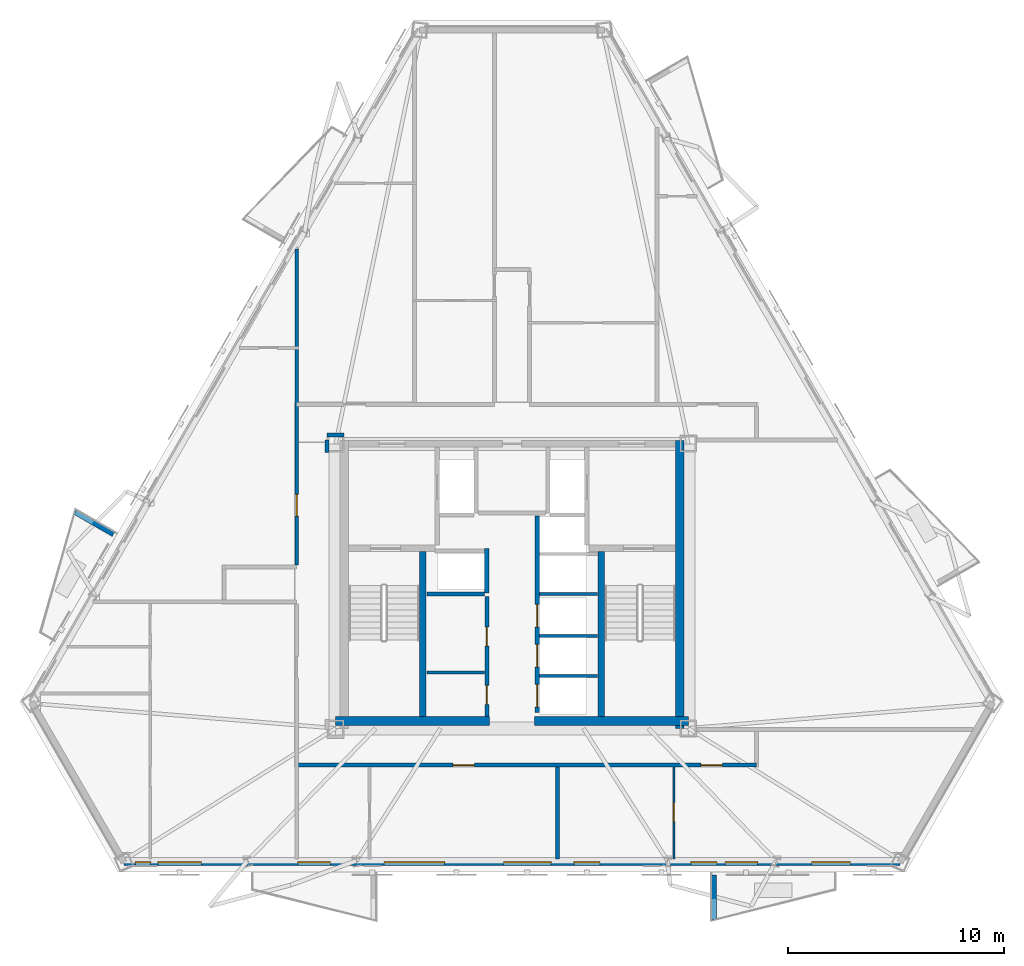
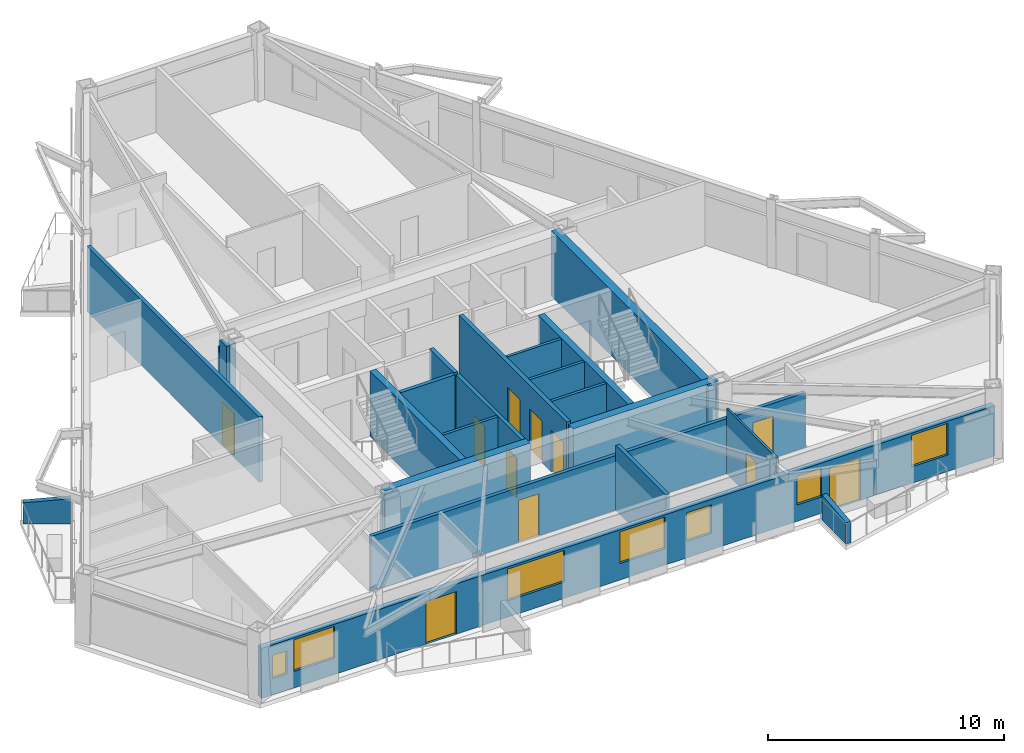
# One storey, part 3 of 8: 22 walls, 11 doors, 7 windows, 18 openings.
"""IFC4 building model written with IfcOpenShell, lengths in metres."""

import ifcopenshell
import ifcopenshell.guid

model = None  # the IFC model being written
_history = None  # IfcOwnerHistory: only IFC2X3 demands one
_inside = {}  # id of a spatial element -> (the spatial element, [elements in it])
_under = {}  # id of a project, library or spatial element -> (it, [spatial elements below it])
_declared = {}  # id of a project -> (the project, [libraries it declares])
_typed = {}  # id of a type object -> (the type object, [elements of that type])
_made_of = {}  # id of a material, layer set ... -> (it, [elements and type objects made of it])


def new_model(schema):
    """Start an empty IFC model of exactly this schema.

    Asked for "IFC4X3", IfcOpenShell would pick the latest addendum, in which some entities
    have other attributes; the version numbers below select the first issue.
    IFC2X3 requires an IfcOwnerHistory on every rooted entity: one is made here for all.
    """
    global model, _history
    if schema == "IFC4X3":
        model = ifcopenshell.file(schema_version=(4, 3, 0, 0))
    else:
        model = ifcopenshell.file(schema=schema)
    _inside.clear()
    _under.clear()
    _declared.clear()
    _typed.clear()
    _made_of.clear()
    _history = None
    if model.schema == "IFC2X3":
        org = make("IfcOrganization", Name="unknown")
        user = make(
            "IfcPersonAndOrganization",
            ThePerson=make("IfcPerson", FamilyName="unknown"),
            TheOrganization=org,
        )
        app = make(
            "IfcApplication",
            ApplicationDeveloper=org,
            Version="unknown",
            ApplicationFullName="unknown",
            ApplicationIdentifier="unknown",
        )
        _history = make(
            "IfcOwnerHistory",
            OwningUser=user,
            OwningApplication=app,
            ChangeAction="ADDED",
            CreationDate=0,
        )
    return model


def make(cls, **values):
    """One entity of the class cls with the attributes given. An attribute that is None is left unset."""
    return model.create_entity(
        cls, **{name: value for name, value in values.items() if value is not None}
    )


def rooted(cls, **values):
    """An entity with a GlobalId (a new one), such as an element, a storey or a relation."""
    return make(cls, GlobalId=ifcopenshell.guid.new(), OwnerHistory=_history, **values)


def si_unit(unit_type, name, prefix=None):
    """IfcSIUnit, for example si_unit("LENGTHUNIT", "METRE", prefix="MILLI")."""
    return make("IfcSIUnit", UnitType=unit_type, Prefix=prefix, Name=name)


def assignment(units):
    """IfcUnitAssignment: the units of a project."""
    return None if units is None else make("IfcUnitAssignment", Units=units)


def point(xyz):
    """IfcCartesianPoint."""
    return None if xyz is None else make("IfcCartesianPoint", Coordinates=xyz)


def direction(xyz):
    """IfcDirection."""
    return None if xyz is None else make("IfcDirection", DirectionRatios=xyz)


def frame(location, z_axis=None, x_axis=None):
    """IfcAxis2Placement3D, a coordinate frame: its origin and axes. An axis left out is left unset."""
    return make(
        "IfcAxis2Placement3D",
        Location=point(location),
        Axis=direction(z_axis),
        RefDirection=direction(x_axis),
    )


def frame_2d(location, x_axis=None):
    """IfcAxis2Placement2D, a coordinate frame in the plane: its origin and x axis."""
    return make(
        "IfcAxis2Placement2D", Location=point(location), RefDirection=direction(x_axis)
    )


def origin():
    """The frame at (0, 0, 0) with its axes left unset."""
    return frame((0.0, 0.0, 0.0))


def place(relative_to, where):
    """IfcLocalPlacement: puts the frame where relative to a parent placement (None: the world)."""
    return make(
        "IfcLocalPlacement", PlacementRelTo=relative_to, RelativePlacement=where
    )


def context(
    kind, dimensions, precision=None, world=None, true_north=None, identifier=None
):
    """IfcGeometricRepresentationContext, for example the 3D "Model" context."""
    return make(
        "IfcGeometricRepresentationContext",
        ContextIdentifier=identifier,
        ContextType=kind,
        CoordinateSpaceDimension=dimensions,
        Precision=precision,
        WorldCoordinateSystem=world,
        TrueNorth=true_north,
    )


def subcontext(parent, identifier, kind, view, scale=None):
    """IfcGeometricRepresentationSubContext, for example "Body" below "Model"."""
    return make(
        "IfcGeometricRepresentationSubContext",
        ContextIdentifier=identifier,
        ContextType=kind,
        ParentContext=parent,
        TargetScale=scale,
        TargetView=view,
    )


def project(units=None, contexts=None):
    """IfcProject with its units and contexts."""
    return rooted(
        "IfcProject",
        Name="project",
        RepresentationContexts=contexts,
        UnitsInContext=assignment(units),
    )


def spatial(cls, under=None, at=None, **own):
    """A site, building, storey or space (cls), placed at a placement, below another one or the project."""
    s = rooted(cls, ObjectPlacement=at, **own)
    if under is not None:
        _under.setdefault(under.id(), (under, []))[1].append(s)
    return s


def polyline(points):
    """IfcPolyline through the points."""
    return make("IfcPolyline", Points=[point(p) for p in points])


def profile(cls, at=None, kind="AREA", **sizes):
    """A parametric profile (cls). Its sizes go by their IFC names, for example OverallWidth=200.0."""
    return make(cls, ProfileType=kind, Position=at, **sizes)


def rectangle(**sizes):
    """IfcRectangleProfileDef."""
    return profile("IfcRectangleProfileDef", **sizes)


def outline(outer, holes=None, kind="AREA"):
    """IfcArbitraryClosedProfileDef: a profile drawn as a closed curve; with holes, ...WithVoids."""
    if holes is None:
        return make("IfcArbitraryClosedProfileDef", ProfileType=kind, OuterCurve=outer)
    return make(
        "IfcArbitraryProfileDefWithVoids",
        ProfileType=kind,
        OuterCurve=outer,
        InnerCurves=holes,
    )


def extrude(swept, where, along, depth):
    """IfcExtrudedAreaSolid: the profile swept, set in the frame where, extruded along a direction by depth."""
    return make(
        "IfcExtrudedAreaSolid",
        SweptArea=swept,
        Position=where,
        ExtrudedDirection=direction(along),
        Depth=depth,
    )


def shape(context_of_items, identifier, shape_type, items):
    """IfcShapeRepresentation: the items that make up one representation, for example the "Body"."""
    return make(
        "IfcShapeRepresentation",
        ContextOfItems=context_of_items,
        RepresentationIdentifier=identifier,
        RepresentationType=shape_type,
        Items=items,
    )


def material(Name=None, Category=None):
    """IfcMaterial."""
    return make("IfcMaterial", Name=Name, Category=Category)


def layer(
    of_material, thickness, ventilated=None, Name=None, Category=None, Priority=None
):
    """IfcMaterialLayer: one layer of a wall or slab, of a material (None: an air gap)."""
    return make(
        "IfcMaterialLayer",
        Material=of_material,
        LayerThickness=thickness,
        IsVentilated=ventilated,
        Name=Name,
        Category=Category,
        Priority=Priority,
    )


def layer_set(layers, Name=None):
    """IfcMaterialLayerSet."""
    return make("IfcMaterialLayerSet", MaterialLayers=layers, LayerSetName=Name)


def made_of(thing, what):
    """Note that an element or type object is made of a material, layer set ...; save() writes the relation."""
    if what is not None:
        _made_of.setdefault(what.id(), (what, []))[1].append(thing)
    return thing


def type_object(cls, material=None, **own):
    """A type object (cls), such as IfcWallType, which elements share."""
    return made_of(rooted(cls, **own), material)


def element(
    cls,
    number,
    at=None,
    inside=None,
    cuts=None,
    type_object=None,
    material=None,
    context=None,
    identifier="Body",
    shape_type=None,
    held_by="IfcProductDefinitionShape",
    body=None,
    shapes=None,
    **own,
):
    """One element of the class cls, such as IfcWall. Its Tag is "e" and its number.

    at: its placement. inside: the storey or other place that contains it. cuts: it is an
    opening in that element (IfcRelVoidsElement). A single representation is given by context,
    identifier, shape_type and body (its items); several are given by shapes. held_by: the class
    of the entity that holds the representations. save() writes the other relations.
    """
    e = rooted(cls, Tag="e%d" % number, ObjectPlacement=at, **own)
    if body is not None:
        shapes = [shape(context, identifier, shape_type, body)]
    if shapes is not None:
        e.Representation = make(held_by, Representations=shapes)
    if inside is not None:
        _inside.setdefault(inside.id(), (inside, []))[1].append(e)
    if cuts is not None:
        rooted(
            "IfcRelVoidsElement", RelatingBuildingElement=cuts, RelatedOpeningElement=e
        )
    if type_object is not None:
        _typed.setdefault(type_object.id(), (type_object, []))[1].append(e)
    return made_of(e, material)


def fill(opening, filler):
    """IfcRelFillsElement: the door or window that sits in an opening."""
    return rooted(
        "IfcRelFillsElement",
        RelatingOpeningElement=opening,
        RelatedBuildingElement=filler,
    )


def aggregate(whole, parts):
    """IfcRelAggregates: a whole, such as a stair, and the parts it consists of."""
    return rooted("IfcRelAggregates", RelatingObject=whole, RelatedObjects=parts)


def save(model, path):
    """Write the relations noted so far, then the file.

    IfcRelAggregates (storeys below a building ...), IfcRelContainedInSpatialStructure (elements
    in a storey), IfcRelDefinesByType, IfcRelAssociatesMaterial and IfcRelDeclares: one each for
    every whole, place, type object, material and project.
    """
    for whole, parts in _under.values():
        aggregate(whole, parts)
    for where, things in _inside.values():
        rooted(
            "IfcRelContainedInSpatialStructure",
            RelatedElements=things,
            RelatingStructure=where,
        )
    for kind, things in _typed.values():
        rooted("IfcRelDefinesByType", RelatedObjects=things, RelatingType=kind)
    for what, things in _made_of.values():
        rooted("IfcRelAssociatesMaterial", RelatedObjects=things, RelatingMaterial=what)
    for by, libraries in _declared.values():
        rooted("IfcRelDeclares", RelatingContext=by, RelatedDefinitions=libraries)
    model.write(path)


model = new_model("IFC4")

# Units and contexts
model_context = context("Model", 3, precision=1e-05, world=origin(), true_north=direction((0.0, 1.0)))
body_context = subcontext(model_context, "Body", "Model", "MODEL_VIEW")
ifc_project = project(units=[si_unit("LENGTHUNIT", "METRE"), si_unit("AREAUNIT", "SQUARE_METRE"), si_unit("VOLUMEUNIT", "CUBIC_METRE"), si_unit("PLANEANGLEUNIT", "RADIAN"), si_unit("MASSUNIT", "GRAM", prefix="KILO")], contexts=[model_context])

# Site, building, storey
site_placement = place(None, origin())
site = spatial("IfcSite", under=ifc_project, at=site_placement, CompositionType="ELEMENT")
building_placement = place(site_placement, origin())
building = spatial("IfcBuilding", under=site, at=building_placement, Name="Oramaril Tower", CompositionType="ELEMENT")
storey_placement = place(building_placement, frame((0.0, 0.0, 171.0)))
storey = spatial("IfcBuildingStorey", under=building, at=storey_placement, Name="L45", CompositionType="ELEMENT", Elevation=171.0)

# Wall, openings, doors, windows
ifc_material_1 = material(Name="Warm Cream Limestone", Category="masonry")
ifc_layer_1 = layer(ifc_material_1, 0.2900390625)
ifc_layer_set_1 = layer_set([ifc_layer_1], Name="WT-EXT29")
wall_type_1 = type_object("IfcWallType", Name="WT-EXT29", PredefinedType="SOLIDWALL", material=ifc_layer_set_1)
wall_1_placement = place(storey_placement, frame((19.56689453125, 4.810546875, 0.0), z_axis=(0.0, 0.0, 1.0), x_axis=(1.0, 0.0, 0.0)))
wall_1 = element("IfcWall", 1, at=wall_1_placement, inside=storey, type_object=wall_type_1, Name="L45 Tower Limestone Facade Wall 2M", PredefinedType="SOLIDWALL", context=body_context, shape_type="SweptSolid", body=[
    extrude(rectangle(XDim=35.8662109375, YDim=0.2900390625, at=frame_2d((17.93310546875, 0.0))), origin(), (0.0, 0.0, 1.0), 2.60009765625),
])
opening_1_placement = place(wall_1_placement, frame((8.034423828125, 0.0, 0.0)))
opening_1 = element("IfcOpeningElement", 2, at=opening_1_placement, cuts=wall_1, Name="Opening D-L45-BAL-S1", PredefinedType="OPENING", context=body_context, shape_type="SweptSolid", body=[
    extrude(rectangle(XDim=1.5, YDim=2.199951171875, at=frame_2d((0.75, 1.10009765625))), frame((0.0, 0.14501953125, 0.0), z_axis=(0.0, -1.0, 0.0), x_axis=(1.0, 0.0, 0.0)), (0.0, 0.0, 1.0), 0.2900390625),
])
opening_2_placement = place(wall_1_placement, frame((27.787109375, 0.0, 0.0)))
opening_2 = element("IfcOpeningElement", 3, at=opening_2_placement, cuts=wall_1, Name="Opening D-L45-BAL-S2", PredefinedType="OPENING", context=body_context, shape_type="SweptSolid", body=[
    extrude(rectangle(XDim=1.5, YDim=2.199951171875, at=frame_2d((0.75, 1.10009765625))), frame((0.0, 0.14501953125, 0.0), z_axis=(0.0, -1.0, 0.0), x_axis=(1.0, 0.0, 0.0)), (0.0, 0.0, 1.0), 0.2900390625),
])
opening_3_placement = place(wall_1_placement, frame((12.022705078125, 0.0, 0.85009765625)))
opening_3 = element("IfcOpeningElement", 4, at=opening_3_placement, cuts=wall_1, Name="Opening WN-01", PredefinedType="OPENING", context=body_context, shape_type="SweptSolid", body=[
    extrude(rectangle(XDim=2.800048828125, YDim=1.639892578125, at=frame_2d((1.39990234375, 0.81982421875))), frame((0.0, 0.14501953125, 0.0), z_axis=(0.0, -1.0, 0.0), x_axis=(1.0, 0.0, 0.0)), (0.0, 0.0, 1.0), 0.2900390625),
])
opening_4_placement = place(wall_1_placement, frame((17.540283203125, 0.0, 0.85009765625)))
opening_4 = element("IfcOpeningElement", 5, at=opening_4_placement, cuts=wall_1, Name="Opening WN-04", PredefinedType="OPENING", context=body_context, shape_type="SweptSolid", body=[
    extrude(rectangle(XDim=2.199951171875, YDim=1.639892578125, at=frame_2d((1.10009765625, 0.81982421875))), frame((0.0, 0.14501953125, 0.0), z_axis=(0.0, -1.0, 0.0), x_axis=(1.0, 0.0, 0.0)), (0.0, 0.0, 1.0), 0.2900390625),
])
opening_5_placement = place(wall_1_placement, frame((26.197998046875, 0.0, 0.85009765625)))
opening_5 = element("IfcOpeningElement", 6, at=opening_5_placement, cuts=wall_1, Name="Opening WN-09", PredefinedType="OPENING", context=body_context, shape_type="SweptSolid", body=[
    extrude(rectangle(XDim=1.199951171875, YDim=1.47998046875, at=frame_2d((0.60009765625, 0.739990234375))), frame((0.0, 0.14501953125, 0.0), z_axis=(0.0, -1.0, 0.0), x_axis=(1.0, 0.0, 0.0)), (0.0, 0.0, 1.0), 0.2900390625),
])
opening_6_placement = place(wall_1_placement, frame((31.77685546875, 0.0, 0.85009765625)))
opening_6 = element("IfcOpeningElement", 7, at=opening_6_placement, cuts=wall_1, Name="Opening WN-06", PredefinedType="OPENING", context=body_context, shape_type="SweptSolid", body=[
    extrude(rectangle(XDim=1.800048828125, YDim=1.639892578125, at=frame_2d((0.89990234375, 0.81982421875))), frame((0.0, 0.14501953125, 0.0), z_axis=(0.0, -1.0, 0.0), x_axis=(1.0, 0.0, 0.0)), (0.0, 0.0, 1.0), 0.2900390625),
])
opening_7_placement = place(wall_1_placement, frame((20.793701171875, 0.0, 0.85009765625)))
opening_7 = element("IfcOpeningElement", 8, at=opening_7_placement, cuts=wall_1, Name="Opening WN-09", PredefinedType="OPENING", context=body_context, shape_type="SweptSolid", body=[
    extrude(rectangle(XDim=1.199951171875, YDim=1.47998046875, at=frame_2d((0.60009765625, 0.739990234375))), frame((0.0, 0.14501953125, 0.0), z_axis=(0.0, -1.0, 0.0), x_axis=(1.0, 0.0, 0.0)), (0.0, 0.0, 1.0), 0.2900390625),
])
opening_8_placement = place(wall_1_placement, frame((1.5712890625, 0.0, 0.85009765625)))
opening_8 = element("IfcOpeningElement", 9, at=opening_8_placement, cuts=wall_1, Name="Opening WN-05", PredefinedType="OPENING", context=body_context, shape_type="SweptSolid", body=[
    extrude(rectangle(XDim=2.0, YDim=1.639892578125, at=frame_2d((1.0, 0.81982421875))), frame((0.0, 0.14501953125, 0.0), z_axis=(0.0, -1.0, 0.0), x_axis=(1.0, 0.0, 0.0)), (0.0, 0.0, 1.0), 0.2900390625),
])
opening_9_placement = place(wall_1_placement, frame((0.530029296875, 0.0, 0.85009765625)))
opening_9 = element("IfcOpeningElement", 10, at=opening_9_placement, cuts=wall_1, Name="Opening WN-14", PredefinedType="OPENING", context=body_context, shape_type="SweptSolid", body=[
    extrude(rectangle(XDim=0.699951171875, YDim=1.199951171875, at=frame_2d((0.35009765625, 0.60009765625))), frame((0.0, 0.14501953125, 0.0), z_axis=(0.0, -1.0, 0.0), x_axis=(1.0, 0.0, 0.0)), (0.0, 0.0, 1.0), 0.2900390625),
])
ifc_material_2 = material(Name="Anodised Aluminium 6063-T6", Category="aluminium")
door_type_1 = type_object("IfcDoorType", Name="DT-BAL", OperationType="NOTDEFINED", PredefinedType="DOOR", material=ifc_material_2)
door_1_placement = place(opening_1_placement, origin())
door_1 = element("IfcDoor", 11, at=door_1_placement, inside=storey, type_object=door_type_1, Name="L45 Balcony Glazed Door L45-BAL-S1", OperationType="SINGLE_SWING_RIGHT", OverallHeight=2.199951171875, OverallWidth=1.5, PredefinedType="DOOR", context=body_context, shape_type="SweptSolid", body=[
    extrude(rectangle(XDim=1.5, YDim=2.199951171875, at=frame_2d((0.75, 1.10009765625))), frame((0.0, 0.02490234375, 0.0), z_axis=(0.0, -1.0, 0.0), x_axis=(1.0, 0.0, 0.0)), (0.0, 0.0, 1.0), 0.050048828125),
])
fill(opening_1, door_1)
door_2_placement = place(opening_2_placement, origin())
door_2 = element("IfcDoor", 12, at=door_2_placement, inside=storey, type_object=door_type_1, Name="L45 Balcony Glazed Door L45-BAL-S2", OperationType="SINGLE_SWING_LEFT", OverallHeight=2.199951171875, OverallWidth=1.5, PredefinedType="DOOR", context=body_context, shape_type="SweptSolid", body=[
    extrude(rectangle(XDim=1.5, YDim=2.199951171875, at=frame_2d((0.75, 1.10009765625))), frame((0.0, 0.02490234375, 0.0), z_axis=(0.0, -1.0, 0.0), x_axis=(1.0, 0.0, 0.0)), (0.0, 0.0, 1.0), 0.050048828125),
])
fill(opening_2, door_2)
ifc_material_3 = material(Name="Coastal Low-E Insulated Glass", Category="glass")
window_type_1 = type_object("IfcWindowType", Name="WNT-01", PartitioningType="SINGLE_PANEL", PredefinedType="WINDOW", material=ifc_material_3)
window_1_placement = place(opening_3_placement, origin())
window_1 = element("IfcWindow", 13, at=window_1_placement, inside=storey, type_object=window_type_1, Name="L45 Chicago Bay Window WN-01", OverallHeight=1.639892578125, OverallWidth=2.800048828125, PartitioningType="SINGLE_PANEL", PredefinedType="WINDOW", context=body_context, shape_type="SweptSolid", body=[
    extrude(rectangle(XDim=2.800048828125, YDim=1.639892578125, at=frame_2d((1.39990234375, 0.81982421875))), frame((0.0, 0.030029296875, 0.0), z_axis=(0.0, -1.0, 0.0), x_axis=(1.0, 0.0, 0.0)), (0.0, 0.0, 1.0), 0.06005859375),
])
fill(opening_3, window_1)
ifc_material_4 = material(Name="Coastal Low-E Insulated Glass", Category="glass")
window_type_2 = type_object("IfcWindowType", Name="WNT-04", PartitioningType="SINGLE_PANEL", PredefinedType="WINDOW", material=ifc_material_4)
window_2_placement = place(opening_4_placement, origin())
window_2 = element("IfcWindow", 14, at=window_2_placement, inside=storey, type_object=window_type_2, Name="L45 Chicago Bay Window WN-04", OverallHeight=1.639892578125, OverallWidth=2.199951171875, PartitioningType="SINGLE_PANEL", PredefinedType="WINDOW", context=body_context, shape_type="SweptSolid", body=[
    extrude(rectangle(XDim=2.199951171875, YDim=1.639892578125, at=frame_2d((1.10009765625, 0.81982421875))), frame((0.0, 0.030029296875, 0.0), z_axis=(0.0, -1.0, 0.0), x_axis=(1.0, 0.0, 0.0)), (0.0, 0.0, 1.0), 0.06005859375),
])
fill(opening_4, window_2)
ifc_material_5 = material(Name="Coastal Low-E Insulated Glass", Category="glass")
window_type_3 = type_object("IfcWindowType", Name="WNT-05", PartitioningType="SINGLE_PANEL", PredefinedType="WINDOW", material=ifc_material_5)
window_3_placement = place(opening_8_placement, origin())
window_3 = element("IfcWindow", 15, at=window_3_placement, inside=storey, type_object=window_type_3, Name="L45 Chicago Bay Window WN-05", OverallHeight=1.639892578125, OverallWidth=2.0, PartitioningType="SINGLE_PANEL", PredefinedType="WINDOW", context=body_context, shape_type="SweptSolid", body=[
    extrude(rectangle(XDim=2.0, YDim=1.639892578125, at=frame_2d((1.0, 0.81982421875))), frame((0.0, 0.030029296875, 0.0), z_axis=(0.0, -1.0, 0.0), x_axis=(1.0, 0.0, 0.0)), (0.0, 0.0, 1.0), 0.06005859375),
])
fill(opening_8, window_3)
ifc_material_6 = material(Name="Coastal Low-E Insulated Glass", Category="glass")
window_type_4 = type_object("IfcWindowType", Name="WNT-06", PartitioningType="SINGLE_PANEL", PredefinedType="WINDOW", material=ifc_material_6)
window_4_placement = place(opening_6_placement, origin())
window_4 = element("IfcWindow", 16, at=window_4_placement, inside=storey, type_object=window_type_4, Name="L45 Chicago Bay Window WN-06", OverallHeight=1.639892578125, OverallWidth=1.800048828125, PartitioningType="SINGLE_PANEL", PredefinedType="WINDOW", context=body_context, shape_type="SweptSolid", body=[
    extrude(rectangle(XDim=1.800048828125, YDim=1.639892578125, at=frame_2d((0.89990234375, 0.81982421875))), frame((0.0, 0.030029296875, 0.0), z_axis=(0.0, -1.0, 0.0), x_axis=(1.0, 0.0, 0.0)), (0.0, 0.0, 1.0), 0.06005859375),
])
fill(opening_6, window_4)
ifc_material_7 = material(Name="Coastal Low-E Insulated Glass", Category="glass")
window_type_5 = type_object("IfcWindowType", Name="WNT-09", PartitioningType="SINGLE_PANEL", PredefinedType="WINDOW", material=ifc_material_7)
window_5_placement = place(opening_5_placement, origin())
window_5 = element("IfcWindow", 17, at=window_5_placement, inside=storey, type_object=window_type_5, Name="L45 Chicago Bay Window WN-09", OverallHeight=1.47998046875, OverallWidth=1.199951171875, PartitioningType="SINGLE_PANEL", PredefinedType="WINDOW", context=body_context, shape_type="SweptSolid", body=[
    extrude(rectangle(XDim=1.199951171875, YDim=1.47998046875, at=frame_2d((0.60009765625, 0.739990234375))), frame((0.0, 0.030029296875, 0.0), z_axis=(0.0, -1.0, 0.0), x_axis=(1.0, 0.0, 0.0)), (0.0, 0.0, 1.0), 0.06005859375),
])
fill(opening_5, window_5)
window_6_placement = place(opening_7_placement, origin())
window_6 = element("IfcWindow", 18, at=window_6_placement, inside=storey, type_object=window_type_5, Name="L45 Chicago Bay Window WN-09", OverallHeight=1.47998046875, OverallWidth=1.199951171875, PartitioningType="SINGLE_PANEL", PredefinedType="WINDOW", context=body_context, shape_type="SweptSolid", body=[
    extrude(rectangle(XDim=1.199951171875, YDim=1.47998046875, at=frame_2d((0.60009765625, 0.739990234375))), frame((0.0, 0.030029296875, 0.0), z_axis=(0.0, -1.0, 0.0), x_axis=(1.0, 0.0, 0.0)), (0.0, 0.0, 1.0), 0.06005859375),
])
fill(opening_7, window_6)
ifc_material_8 = material(Name="Coastal Low-E Insulated Glass", Category="glass")
window_type_6 = type_object("IfcWindowType", Name="WNT-14", PartitioningType="SINGLE_PANEL", PredefinedType="WINDOW", material=ifc_material_8)
window_7_placement = place(opening_9_placement, origin())
window_7 = element("IfcWindow", 19, at=window_7_placement, inside=storey, type_object=window_type_6, Name="L45 Apartment Bedroom Window WN-14", OverallHeight=1.199951171875, OverallWidth=0.699951171875, PartitioningType="SINGLE_PANEL", PredefinedType="WINDOW", context=body_context, shape_type="SweptSolid", body=[
    extrude(rectangle(XDim=0.699951171875, YDim=1.199951171875, at=frame_2d((0.35009765625, 0.60009765625))), frame((0.0, 0.030029296875, 0.0), z_axis=(0.0, -1.0, 0.0), x_axis=(1.0, 0.0, 0.0)), (0.0, 0.0, 1.0), 0.06005859375),
])
fill(opening_9, window_7)

# Walls
ifc_material_9 = material(Name="Concrete C40/50", Category="concrete")
ifc_layer_2 = layer(ifc_material_9, 0.22998046875)
ifc_layer_set_2 = layer_set([ifc_layer_2], Name="WT-PRP23")
wall_type_2 = type_object("IfcWallType", Name="WT-PRP23", PredefinedType="PARAPET", material=ifc_layer_set_2)
for number, where, z_axis, x_axis, name in (
    (20, (46.828857421875, 4.212646484375, 0.0), (0.0, 0.0, 1.0), (0.0, -1.0, 0.0), "L45 Trapezoidal Balcony Frame Cheek L45-BAL-S2-L"),
    (21, (19.07666015625, 19.964599609375, 0.0), (0.0, 0.0, 1.0), (-0.866012356593, 0.500022597718, 0.0), "L45 Trapezoidal Balcony Frame Cheek L45-BAL-NW2-L"),
):
    element("IfcWall", number, at=place(storey_placement, frame(where, z_axis=z_axis, x_axis=x_axis)), inside=storey, type_object=wall_type_2, Name=name, PredefinedType="PARAPET", context=body_context, shape_type="SweptSolid", body=[
        extrude(outline(polyline([(0.0, 0.0), (2.0419921875, 0.0), (2.0419921875, 1.10009765625), (0.0, 1.320068359375), (0.0, 0.0)])), frame((0.0, 0.114990234375, 0.0), z_axis=(0.0, -1.0, 0.0), x_axis=(1.0, 0.0, 0.0)), (0.0, 0.0, 1.0), 0.22998046875),
    ])

# Wall, opening, door
ifc_material_10 = material(Name="Acoustic Gypsum Board Partition")
ifc_layer_3 = layer(ifc_material_10, 0.10009765625)
ifc_layer_set_3 = layer_set([ifc_layer_3], Name="WT-PT10")
wall_type_3 = type_object("IfcWallType", Name="WT-PT10", PredefinedType="PARTITIONING", material=ifc_layer_set_3)
wall_2_placement = place(storey_placement, frame((44.97998046875, 4.959716796875, 0.0), z_axis=(0.0, 0.0, 1.0), x_axis=(0.0, 1.0, 0.0)))
wall_2 = element("IfcWall", 22, at=wall_2_placement, inside=storey, type_object=wall_type_3, Name="L45 Interior Partition PT-10", PredefinedType="PARTITIONING", context=body_context, shape_type="SweptSolid", body=[
    extrude(rectangle(XDim=4.246337890625, YDim=0.10009765625, at=frame_2d((2.123046875, 0.0))), origin(), (0.0, 0.0, 1.0), 3.3798828125),
])
opening_10_placement = place(wall_2_placement, frame((1.730712890625, 0.0, 0.0)))
opening_10 = element("IfcOpeningElement", 23, at=opening_10_placement, cuts=wall_2, Name="Opening D-L45-18", PredefinedType="OPENING", context=body_context, shape_type="SweptSolid", body=[
    extrude(rectangle(XDim=0.8798828125, YDim=2.080078125, at=frame_2d((0.43994140625, 1.0400390625))), frame((0.0, 0.050048828125, 0.0), z_axis=(0.0, -1.0, 0.0), x_axis=(1.0, 0.0, 0.0)), (0.0, 0.0, 1.0), 0.10009765625),
])
ifc_material_11 = material(Name="FSC Brazilian Freijo Hardwood", Category="wood")
door_type_2 = type_object("IfcDoorType", Name="DT-BATH", OperationType="NOTDEFINED", PredefinedType="DOOR", material=ifc_material_11)
door_3_placement = place(opening_10_placement, origin())
door_3 = element("IfcDoor", 24, at=door_3_placement, inside=storey, type_object=door_type_2, Name="L45 Flat L45-U2 Bathroom Door D-L45-18", OperationType="SINGLE_SWING_LEFT", OverallHeight=2.080078125, OverallWidth=0.8798828125, PredefinedType="DOOR", context=body_context, shape_type="SweptSolid", body=[
    extrude(rectangle(XDim=0.8798828125, YDim=2.080078125, at=frame_2d((0.43994140625, 1.0400390625))), frame((0.0, 0.02490234375, 0.0), z_axis=(0.0, -1.0, 0.0), x_axis=(1.0, 0.0, 0.0)), (0.0, 0.0, 1.0), 0.050048828125),
])
fill(opening_10, door_3)

# Walls
ifc_material_12 = material(Name="Acoustic Gypsum Board Partition")
ifc_layer_4 = layer(ifc_material_12, 0.139892578125)
ifc_layer_set_4 = layer_set([ifc_layer_4], Name="WT-PT14")
wall_type_4 = type_object("IfcWallType", Name="WT-PT14", PredefinedType="PARTITIONING", material=ifc_layer_set_4)
for number, where, z_axis, x_axis, name in (
    (25, (33.56005859375, 13.570068359375, 0.0), (0.0, 0.0, 1.0), (1.0, 0.0, 0.0), "L45 Freed Shaft Divider"),
    (26, (38.780029296875, 13.419921875, 0.0), (0.0, 0.0, 1.0), (1.0, 0.0, 0.0), "L45 East Lift Divider"),
    (27, (38.780029296875, 15.27001953125, 0.0), (0.0, 0.0, 1.0), (1.0, 0.0, 0.0), "L45 East Lift Divider"),
    (28, (38.780029296875, 17.199951171875, 0.0), (0.0, 0.0, 1.0), (1.0, 0.0, 0.0), "L45 East Lift Divider"),
):
    element("IfcWall", number, at=place(storey_placement, frame(where, z_axis=z_axis, x_axis=x_axis)), inside=storey, type_object=wall_type_4, Name=name, PredefinedType="PARTITIONING", context=body_context, shape_type="SweptSolid", body=[
        extrude(rectangle(XDim=2.659912109375, YDim=0.139892578125, at=frame_2d((1.330078125, 0.0))), origin(), (0.0, 0.0, 1.0), 3.3798828125),
    ])
ifc_material_13 = material(Name="Autoclaved Cellular Concrete Block", Category="concrete")
ifc_layer_5 = layer(ifc_material_13, 0.179931640625)
ifc_layer_set_5 = layer_set([ifc_layer_5], Name="WT-PT18")
wall_type_5 = type_object("IfcWallType", Name="WT-PT18", PredefinedType="PARTITIONING", material=ifc_layer_set_5)
wall_3_placement = place(storey_placement, frame((33.56005859375, 17.199951171875, 0.0), z_axis=(0.0, 0.0, 1.0), x_axis=(1.0, 0.0, 0.0)))
element("IfcWall", 29, at=wall_3_placement, inside=storey, type_object=wall_type_5, Name="L45 High-Rise Lift H1 South Wall", PredefinedType="PARTITIONING", context=body_context, shape_type="SweptSolid", body=[
    extrude(rectangle(XDim=2.659912109375, YDim=0.179931640625, at=frame_2d((1.330078125, 0.0))), origin(), (0.0, 0.0, 1.0), 3.3798828125),
])

# Wall, openings, doors
wall_4_placement = place(storey_placement, frame((36.340087890625, 11.550048828125, 0.0), z_axis=(0.0, 0.0, 1.0), x_axis=(0.0, 1.0, 0.0)))
wall_4 = element("IfcWall", 30, at=wall_4_placement, inside=storey, type_object=wall_type_5, Name="L45 Freed Shaft Study East Wall", PredefinedType="PARTITIONING", context=body_context, shape_type="SweptSolid", body=[
    extrude(rectangle(XDim=5.550048828125, YDim=0.179931640625, at=frame_2d((2.77490234375, 0.0))), origin(), (0.0, 0.0, 1.0), 3.3798828125),
])
opening_11_placement = place(wall_4_placement, frame((0.550048828125, 0.0, 0.0)))
opening_11 = element("IfcOpeningElement", 31, at=opening_11_placement, cuts=wall_4, Name="Opening D-L45-FL1", PredefinedType="OPENING", context=body_context, shape_type="SweptSolid", body=[
    extrude(rectangle(XDim=0.8798828125, YDim=2.080078125, at=frame_2d((0.43994140625, 1.0400390625))), frame((0.0, 0.08984375, 0.0), z_axis=(0.0, -1.0, 0.0), x_axis=(1.0, 0.0, 0.0)), (0.0, 0.0, 1.0), 0.179931640625),
])
opening_12_placement = place(wall_4_placement, frame((3.25, 0.0, 0.0)))
opening_12 = element("IfcOpeningElement", 32, at=opening_12_placement, cuts=wall_4, Name="Opening D-L45-FL2", PredefinedType="OPENING", context=body_context, shape_type="SweptSolid", body=[
    extrude(rectangle(XDim=0.8798828125, YDim=2.080078125, at=frame_2d((0.43994140625, 1.0400390625))), frame((0.0, 0.08984375, 0.0), z_axis=(0.0, -1.0, 0.0), x_axis=(1.0, 0.0, 0.0)), (0.0, 0.0, 1.0), 0.179931640625),
])
door_4_placement = place(opening_11_placement, origin())
door_4 = element("IfcDoor", 33, at=door_4_placement, inside=storey, type_object=door_type_2, Name="L45 L45 Residents Tasting Dining Nook Door", OperationType="SINGLE_SWING_LEFT", OverallHeight=2.080078125, OverallWidth=0.8798828125, PredefinedType="DOOR", context=body_context, shape_type="SweptSolid", body=[
    extrude(rectangle(XDim=0.8798828125, YDim=2.080078125, at=frame_2d((0.43994140625, 1.0400390625))), frame((0.0, 0.02490234375, 0.0), z_axis=(0.0, -1.0, 0.0), x_axis=(1.0, 0.0, 0.0)), (0.0, 0.0, 1.0), 0.050048828125),
])
fill(opening_11, door_4)
door_5_placement = place(opening_12_placement, origin())
door_5 = element("IfcDoor", 34, at=door_5_placement, inside=storey, type_object=door_type_2, Name="L45 L45 Floor Co-Work Office Door", OperationType="SINGLE_SWING_RIGHT", OverallHeight=2.080078125, OverallWidth=0.8798828125, PredefinedType="DOOR", context=body_context, shape_type="SweptSolid", body=[
    extrude(rectangle(XDim=0.8798828125, YDim=2.080078125, at=frame_2d((0.43994140625, 1.0400390625))), frame((0.0, 0.02490234375, 0.0), z_axis=(0.0, -1.0, 0.0), x_axis=(1.0, 0.0, 0.0)), (0.0, 0.0, 1.0), 0.050048828125),
])
fill(opening_12, door_5)

wall_5_placement = place(storey_placement, frame((27.550048828125, 9.300048828125, 0.0), z_axis=(0.0, 0.0, 1.0), x_axis=(1.0, 0.0, 0.0)))
wall_5 = element("IfcWall", 35, at=wall_5_placement, inside=storey, type_object=wall_type_5, Name="L45 Interior Partition PT-18", PredefinedType="PARTITIONING", context=body_context, shape_type="SweptSolid", body=[
    extrude(rectangle(XDim=21.25, YDim=0.179931640625, at=frame_2d((10.625, 0.0))), origin(), (0.0, 0.0, 1.0), 2.842041015625),
])
opening_13_placement = place(wall_5_placement, frame((7.2119140625, 0.0, 0.0)))
opening_13 = element("IfcOpeningElement", 36, at=opening_13_placement, cuts=wall_5, Name="Opening D-L45-01", PredefinedType="OPENING", context=body_context, shape_type="SweptSolid", body=[
    extrude(rectangle(XDim=1.0, YDim=2.179931640625, at=frame_2d((0.5, 1.08984375))), frame((0.0, 0.08984375, 0.0), z_axis=(0.0, -1.0, 0.0), x_axis=(1.0, 0.0, 0.0)), (0.0, 0.0, 1.0), 0.179931640625),
])
opening_14_placement = place(wall_5_placement, frame((18.674072265625, 0.0, 0.0)))
opening_14 = element("IfcOpeningElement", 37, at=opening_14_placement, cuts=wall_5, Name="Opening D-L45-02", PredefinedType="OPENING", context=body_context, shape_type="SweptSolid", body=[
    extrude(rectangle(XDim=1.0, YDim=2.179931640625, at=frame_2d((0.5, 1.08984375))), frame((0.0, 0.08984375, 0.0), z_axis=(0.0, -1.0, 0.0), x_axis=(1.0, 0.0, 0.0)), (0.0, 0.0, 1.0), 0.179931640625),
])
ifc_material_14 = material(Name="FSC Brazilian Freijo Hardwood", Category="wood")
door_type_3 = type_object("IfcDoorType", Name="DT-APT", OperationType="NOTDEFINED", PredefinedType="DOOR", material=ifc_material_14)
door_6_placement = place(opening_13_placement, origin())
door_6 = element("IfcDoor", 38, at=door_6_placement, inside=storey, type_object=door_type_3, Name="L45 Flat L45-U1 Kitchen and Studio Apartment Door D-L45-01", OperationType="SINGLE_SWING_RIGHT", OverallHeight=2.179931640625, OverallWidth=1.0, PredefinedType="DOOR", context=body_context, shape_type="SweptSolid", body=[
    extrude(rectangle(XDim=1.0, YDim=2.179931640625, at=frame_2d((0.5, 1.08984375))), frame((0.0, 0.02490234375, 0.0), z_axis=(0.0, -1.0, 0.0), x_axis=(1.0, 0.0, 0.0)), (0.0, 0.0, 1.0), 0.050048828125),
])
fill(opening_13, door_6)
door_7_placement = place(opening_14_placement, origin())
door_7 = element("IfcDoor", 39, at=door_7_placement, inside=storey, type_object=door_type_3, Name="L45 Flat L45-U2 Kitchen and Studio Apartment Door D-L45-02", OperationType="SINGLE_SWING_LEFT", OverallHeight=2.179931640625, OverallWidth=1.0, PredefinedType="DOOR", context=body_context, shape_type="SweptSolid", body=[
    extrude(rectangle(XDim=1.0, YDim=2.179931640625, at=frame_2d((0.5, 1.08984375))), frame((0.0, 0.02490234375, 0.0), z_axis=(0.0, -1.0, 0.0), x_axis=(1.0, 0.0, 0.0)), (0.0, 0.0, 1.0), 0.050048828125),
])
fill(opening_14, door_7)

# Wall
wall_6_placement = place(storey_placement, frame((28.955078125, 24.550048828125, 0.0), z_axis=(0.0, 0.0, 1.0), x_axis=(1.0, 0.0, 0.0)))
element("IfcWall", 40, at=wall_6_placement, inside=storey, type_object=wall_type_5, Name="L45 Interior Partition PT-18", PredefinedType="PARTITIONING", context=body_context, shape_type="SweptSolid", body=[
    extrude(rectangle(XDim=0.7900390625, YDim=0.179931640625, at=frame_2d((0.39501953125, 0.0))), origin(), (0.0, 0.0, 1.0), 2.842041015625),
])

# Wall, opening, door
wall_7_placement = place(storey_placement, frame((27.550048828125, 18.5439453125, 0.0), z_axis=(0.0, 0.0, 1.0), x_axis=(0.0, 1.0, 0.0)))
wall_7 = element("IfcWall", 41, at=wall_7_placement, inside=storey, type_object=wall_type_5, Name="L45 Interior Partition PT-18", PredefinedType="PARTITIONING", context=body_context, shape_type="SweptSolid", body=[
    extrude(rectangle(XDim=14.60302734375, YDim=0.179931640625, at=frame_2d((7.301513671875, 0.0))), origin(), (0.0, 0.0, 1.0), 3.3798828125),
])
opening_15_placement = place(wall_7_placement, frame((2.26708984375, 0.0, 0.0)))
opening_15 = element("IfcOpeningElement", 42, at=opening_15_placement, cuts=wall_7, Name="Opening D-L45-14", PredefinedType="OPENING", context=body_context, shape_type="SweptSolid", body=[
    extrude(rectangle(XDim=1.0, YDim=2.179931640625, at=frame_2d((0.5, 1.08984375))), frame((0.0, 0.08984375, 0.0), z_axis=(0.0, -1.0, 0.0), x_axis=(1.0, 0.0, 0.0)), (0.0, 0.0, 1.0), 0.179931640625),
])
door_8_placement = place(opening_15_placement, origin())
door_8 = element("IfcDoor", 43, at=door_8_placement, inside=storey, type_object=door_type_3, Name="L45 Flat L45-U4 Kitchen and Studio Apartment Door D-L45-14", OperationType="SINGLE_SWING_LEFT", OverallHeight=2.179931640625, OverallWidth=1.0, PredefinedType="DOOR", context=body_context, shape_type="SweptSolid", body=[
    extrude(rectangle(XDim=1.0, YDim=2.179931640625, at=frame_2d((0.5, 1.08984375))), frame((0.0, 0.02490234375, 0.0), z_axis=(0.0, -1.0, 0.0), x_axis=(1.0, 0.0, 0.0)), (0.0, 0.0, 1.0), 0.050048828125),
])
fill(opening_15, door_8)

# Walls
wall_8_placement = place(storey_placement, frame((28.949951171875, 23.7548828125, 0.0), z_axis=(0.0, 0.0, 1.0), x_axis=(0.0, 1.0, 0.0)))
element("IfcWall", 44, at=wall_8_placement, inside=storey, type_object=wall_type_5, Name="L45 Interior Partition PT-18", PredefinedType="PARTITIONING", context=body_context, shape_type="SweptSolid", body=[
    extrude(rectangle(XDim=0.565185546875, YDim=0.179931640625, at=frame_2d((0.28271484375, 0.0))), origin(), (0.0, 0.0, 1.0), 3.3798828125),
])
wall_9_placement = place(storey_placement, frame((39.60009765625, 4.959716796875, 0.0), z_axis=(0.0, 0.0, 1.0), x_axis=(0.0, 1.0, 0.0)))
element("IfcWall", 45, at=wall_9_placement, inside=storey, type_object=wall_type_5, Name="L45 Interior Partition PT-18", PredefinedType="PARTITIONING", context=body_context, shape_type="SweptSolid", body=[
    extrude(rectangle(XDim=4.246337890625, YDim=0.179931640625, at=frame_2d((2.123046875, 0.0))), origin(), (0.0, 0.0, 1.0), 3.3798828125),
])
ifc_material_15 = material(Name="Concrete C50/60", Category="concrete")
ifc_layer_6 = layer(ifc_material_15, 0.300048828125)
ifc_layer_set_6 = layer_set([ifc_layer_6], Name="WT-SH30")
wall_type_6 = type_object("IfcWallType", Name="WT-SH30", PredefinedType="SHEAR", material=ifc_layer_set_6)
for number, where, z_axis, x_axis, name in (
    (46, (33.3798828125, 11.5400390625, 0.0), (0.0, 0.0, 1.0), (0.0, 1.0, 0.0), "L45 Core Shear Wall CW-ST1E"),
    (47, (41.6201171875, 11.5400390625, 0.0), (0.0, 0.0, 1.0), (0.0, 1.0, 0.0), "L45 Core Shear Wall CW-ST2W"),
):
    element("IfcWall", number, at=place(storey_placement, frame(where, z_axis=z_axis, x_axis=x_axis)), inside=storey, type_object=wall_type_6, Name=name, PredefinedType="SHEAR", context=body_context, shape_type="SweptSolid", body=[
        extrude(rectangle(XDim=7.619873046875, YDim=0.300048828125, at=frame_2d((3.81005859375, 0.0))), origin(), (0.0, 0.0, 1.0), 3.3798828125),
    ])
ifc_material_16 = material(Name="Concrete C50/60", Category="concrete")
ifc_layer_7 = layer(ifc_material_16, 0.39990234375)
ifc_layer_set_7 = layer_set([ifc_layer_7], Name="WT-SH40")
wall_type_7 = type_object("IfcWallType", Name="WT-SH40", PredefinedType="SHEAR", material=ifc_layer_set_7)
wall_10_placement = place(storey_placement, frame((45.260009765625, 11.0, 0.0), z_axis=(0.0, 0.0, 1.0), x_axis=(0.0, 1.0, 0.0)))
element("IfcWall", 48, at=wall_10_placement, inside=storey, type_object=wall_type_7, Name="L45 Core Shear Wall CW-E", PredefinedType="SHEAR", context=body_context, shape_type="SweptSolid", body=[
    extrude(rectangle(XDim=13.300048828125, YDim=0.39990234375, at=frame_2d((6.64990234375, 0.0))), origin(), (0.0, 0.0, 1.0), 3.3798828125),
])
for number, where, z_axis, x_axis, name in (
    (49, (29.35009765625, 11.340087890625, 0.0), (0.0, 0.0, 1.0), (1.0, 0.0, 0.0), "L45 Core Shear Wall CW-SW"),
    (50, (38.550048828125, 11.340087890625, 0.0), (0.0, 0.0, 1.0), (1.0, 0.0, 0.0), "L45 Core Shear Wall CW-SE"),
):
    element("IfcWall", number, at=place(storey_placement, frame(where, z_axis=z_axis, x_axis=x_axis)), inside=storey, type_object=wall_type_7, Name=name, PredefinedType="SHEAR", context=body_context, shape_type="SweptSolid", body=[
        extrude(rectangle(XDim=7.099853515625, YDim=0.39990234375, at=frame_2d((3.5498046875, 0.0))), origin(), (0.0, 0.0, 1.0), 3.3798828125),
    ])
ifc_material_17 = material(Name="Autoclaved Cellular Concrete Block", Category="concrete")
ifc_layer_8 = layer(ifc_material_17, 0.199951171875)
ifc_layer_set_8 = layer_set([ifc_layer_8], Name="WT-SHF20")
wall_type_8 = type_object("IfcWallType", Name="WT-SHF20", PredefinedType="PARTITIONING", material=ifc_layer_set_8)
wall_11_placement = place(storey_placement, frame((36.340087890625, 17.25, 0.0), z_axis=(0.0, 0.0, 1.0), x_axis=(0.0, 1.0, 0.0)))
element("IfcWall", 51, at=wall_11_placement, inside=storey, type_object=wall_type_8, Name="L45 High-Rise Lift H1 Front Wall", PredefinedType="PARTITIONING", context=body_context, shape_type="SweptSolid", body=[
    extrude(rectangle(XDim=2.070068359375, YDim=0.199951171875, at=frame_2d((1.03515625, 0.0))), origin(), (0.0, 0.0, 1.0), 3.3798828125),
])

# Wall, openings, doors
wall_12_placement = place(storey_placement, frame((38.659912109375, 11.719970703125, 0.0), z_axis=(0.0, 0.0, 1.0), x_axis=(0.0, 1.0, 0.0)))
wall_12 = element("IfcWall", 52, at=wall_12_placement, inside=storey, type_object=wall_type_8, Name="L45 East Lift Bank Front Wall", PredefinedType="PARTITIONING", context=body_context, shape_type="SweptSolid", body=[
    extrude(rectangle(XDim=9.10009765625, YDim=0.199951171875, at=frame_2d((4.550048828125, 0.0))), origin(), (0.0, 0.0, 1.0), 3.3798828125),
])
opening_16_placement = place(wall_12_placement, frame((0.2548828125, 0.0, 0.0)))
opening_16 = element("IfcOpeningElement", 53, at=opening_16_placement, cuts=wall_12, Name="Opening LD-L45-LP-M1", PredefinedType="OPENING", context=body_context, shape_type="SweptSolid", body=[
    extrude(rectangle(XDim=1.050048828125, YDim=2.14990234375, at=frame_2d((0.52490234375, 1.074951171875))), frame((0.0, 0.10009765625, 0.0), z_axis=(0.0, -1.0, 0.0), x_axis=(1.0, 0.0, 0.0)), (0.0, 0.0, 1.0), 0.199951171875),
])
opening_17_placement = place(wall_12_placement, frame((2.10498046875, 0.0, 0.0)))
opening_17 = element("IfcOpeningElement", 54, at=opening_17_placement, cuts=wall_12, Name="Opening LD-L45-LP-M2", PredefinedType="OPENING", context=body_context, shape_type="SweptSolid", body=[
    extrude(rectangle(XDim=1.050048828125, YDim=2.14990234375, at=frame_2d((0.52490234375, 1.074951171875))), frame((0.0, 0.10009765625, 0.0), z_axis=(0.0, -1.0, 0.0), x_axis=(1.0, 0.0, 0.0)), (0.0, 0.0, 1.0), 0.199951171875),
])
opening_18_placement = place(wall_12_placement, frame((3.955078125, 0.0, 0.0)))
opening_18 = element("IfcOpeningElement", 55, at=opening_18_placement, cuts=wall_12, Name="Opening LD-L45-LP-M3", PredefinedType="OPENING", context=body_context, shape_type="SweptSolid", body=[
    extrude(rectangle(XDim=1.050048828125, YDim=2.14990234375, at=frame_2d((0.52490234375, 1.074951171875))), frame((0.0, 0.10009765625, 0.0), z_axis=(0.0, -1.0, 0.0), x_axis=(1.0, 0.0, 0.0)), (0.0, 0.0, 1.0), 0.199951171875),
])
ifc_material_18 = material(Name="Stainless Steel 316L", Category="steel")
door_type_4 = type_object("IfcDoorType", Name="DT-LD2", OperationType="NOTDEFINED", PredefinedType="DOOR", material=ifc_material_18)
door_9_placement = place(opening_16_placement, origin())
door_9 = element("IfcDoor", 56, at=door_9_placement, inside=storey, type_object=door_type_4, Name="L45 Lift LP-M1 Sliding Landing Door", OperationType="SLIDING_TO_RIGHT", OverallHeight=2.14990234375, OverallWidth=1.050048828125, PredefinedType="DOOR", context=body_context, shape_type="SweptSolid", body=[
    extrude(rectangle(XDim=1.050048828125, YDim=2.14990234375, at=frame_2d((0.52490234375, 1.074951171875))), frame((0.0, 0.02490234375, 0.0), z_axis=(0.0, -1.0, 0.0), x_axis=(1.0, 0.0, 0.0)), (0.0, 0.0, 1.0), 0.050048828125),
])
fill(opening_16, door_9)
door_10_placement = place(opening_17_placement, origin())
door_10 = element("IfcDoor", 57, at=door_10_placement, inside=storey, type_object=door_type_4, Name="L45 Lift LP-M2 Sliding Landing Door", OperationType="SLIDING_TO_LEFT", OverallHeight=2.14990234375, OverallWidth=1.050048828125, PredefinedType="DOOR", context=body_context, shape_type="SweptSolid", body=[
    extrude(rectangle(XDim=1.050048828125, YDim=2.14990234375, at=frame_2d((0.52490234375, 1.074951171875))), frame((0.0, 0.02490234375, 0.0), z_axis=(0.0, -1.0, 0.0), x_axis=(1.0, 0.0, 0.0)), (0.0, 0.0, 1.0), 0.050048828125),
])
fill(opening_17, door_10)
door_11_placement = place(opening_18_placement, origin())
door_11 = element("IfcDoor", 58, at=door_11_placement, inside=storey, type_object=door_type_4, Name="L45 Lift LP-M3 Sliding Landing Door", OperationType="SLIDING_TO_RIGHT", OverallHeight=2.14990234375, OverallWidth=1.050048828125, PredefinedType="DOOR", context=body_context, shape_type="SweptSolid", body=[
    extrude(rectangle(XDim=1.050048828125, YDim=2.14990234375, at=frame_2d((0.52490234375, 1.074951171875))), frame((0.0, 0.02490234375, 0.0), z_axis=(0.0, -1.0, 0.0), x_axis=(1.0, 0.0, 0.0)), (0.0, 0.0, 1.0), 0.050048828125),
])
fill(opening_18, door_11)

save(model, "model.ifc")
